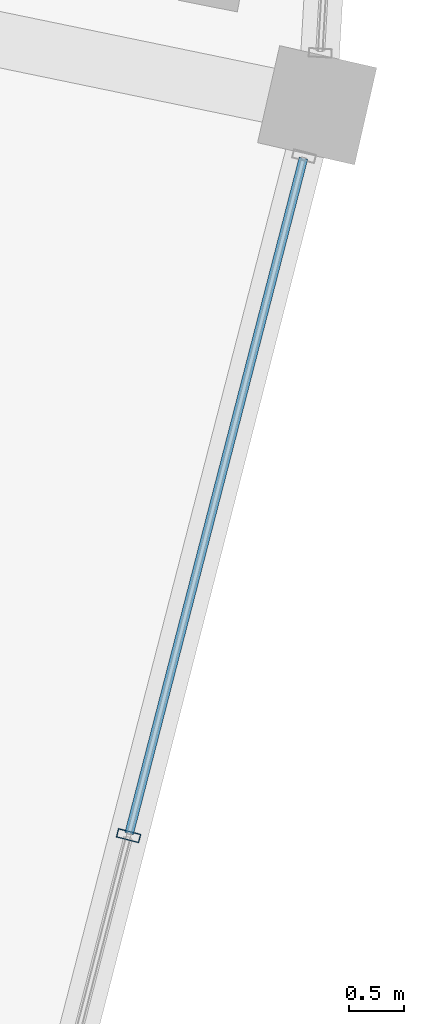
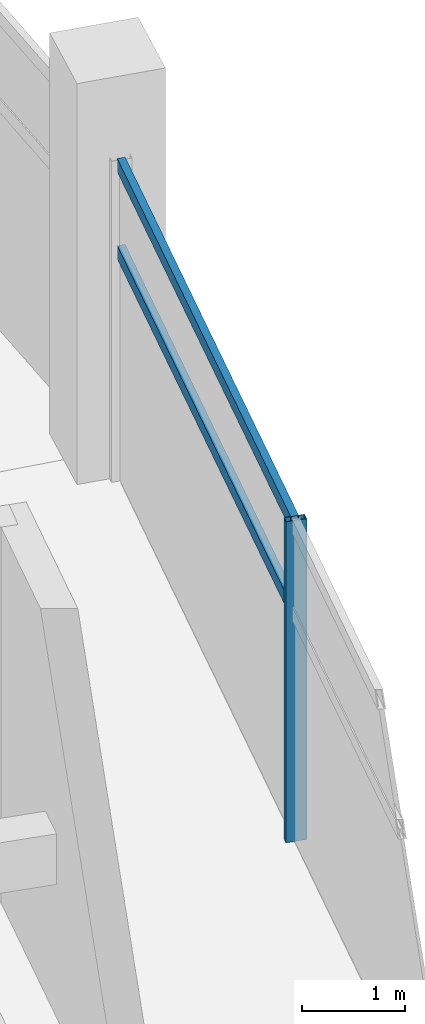
# One storey, part 67 of 171: 3 members, 1 element without a shape of its own.
"""IFC4 building model written with IfcOpenShell, lengths in metres."""

from ifc_helpers import new_model, si_unit, direction, frame, origin, origin_2d, place, context, subcontext, project, spatial, hollow_rectangle, extrude, material, layer, layer_set, material_profile, profile_set, type_object, element, aggregate, save


model = new_model("IFC4")

# Units and contexts
model_context = context("Model", 3, precision=1e-05, world=origin(), true_north=direction((0.0, 1.0)))
body_context = subcontext(model_context, "Body", "Model", "MODEL_VIEW")
ifc_project = project(units=[si_unit("LENGTHUNIT", "METRE"), si_unit("AREAUNIT", "SQUARE_METRE"), si_unit("VOLUMEUNIT", "CUBIC_METRE"), si_unit("PLANEANGLEUNIT", "RADIAN"), si_unit("MASSUNIT", "GRAM", prefix="KILO")], contexts=[model_context])

# Site, building, storey
site_placement = place(None, origin())
site = spatial("IfcSite", under=ifc_project, at=site_placement, CompositionType="ELEMENT")
building_placement = place(site_placement, origin())
building = spatial("IfcBuilding", under=site, at=building_placement, Name="Kazemori Nagisa Stadium", CompositionType="ELEMENT")
storey_placement = place(building_placement, frame((0.0, 0.0, 15.639892578125)))
storey = spatial("IfcBuildingStorey", under=building, at=storey_placement, Name="L03", CompositionType="ELEMENT", Elevation=15.639892578125)

# Curtain wall, members
ifc_material_1 = material(Name="Anodised aluminium 6063-T5", Category="aluminium")
ifc_layer = layer(ifc_material_1, 0.2099609375, Name="Anodised aluminium 6063-T5", Category="aluminium")
ifc_layer_set = layer_set([ifc_layer], Name="Anodised aluminium 6063-T5")
curtain_wall_type = type_object("IfcCurtainWallType", Name="CW_L03R3_96", PredefinedType="USERDEFINED", material=ifc_layer_set)
curtain_wall_placement = place(storey_placement, origin())
curtain_wall = element("IfcCurtainWall", 1, at=curtain_wall_placement, inside=storey, type_object=curtain_wall_type, Name="Unitised curtain wall CW-L03R3-96 L03", ObjectType="UNITISED CURTAIN WALL", PredefinedType="USERDEFINED")
ifc_material_2 = material(Name="Aluminium 6063-T5 anodised", Category="aluminium")
ifc_material_profile_1 = material_profile(ifc_material_2, hollow_rectangle(XDim=0.080078125, YDim=0.2099609375, WallThickness=0.0048828125, at=origin_2d()), Name="ALU-MULL-80x210x5")
ifc_profile_set_1 = profile_set([ifc_material_profile_1], Name="Aluminium 6063-T5 anodised")
member_type_1 = type_object("IfcMemberType", Name="Mullion_M02", PredefinedType="MULLION", material=ifc_profile_set_1)
member_1_placement = place(storey_placement, frame((215.176025390625, 75.998291015625, 0.0), z_axis=(0.0, 0.0, 1.0), x_axis=(0.249964642418, 0.968254965152, 0.0)))
member_1 = element("IfcMember", 2, at=member_1_placement, type_object=member_type_1, Name="Curtain wall mullion CW-L03R3-96-M3", PredefinedType="MULLION", context=body_context, shape_type="SweptSolid", body=[
    extrude(hollow_rectangle(XDim=0.080078125, YDim=0.2099609375, WallThickness=0.0048828125, at=origin_2d()), origin(), (0.0, 0.0, 1.0), 3.81005859375),
])
ifc_material_profile_2 = material_profile(ifc_material_2, hollow_rectangle(XDim=0.080078125, YDim=0.159912109375, WallThickness=0.00390625, at=origin_2d()), Name="ALU-TRAN-80x160x4")
ifc_profile_set_2 = profile_set([ifc_material_profile_2], Name="Aluminium 6063-T5 anodised")
member_type_2 = type_object("IfcMemberType", Name="Transom_T02", PredefinedType="USERDEFINED", material=ifc_profile_set_2)
member_2_placement = place(storey_placement, frame((215.180908203125, 76.017822265625, 2.705322265625), z_axis=(0.249971699633, 0.968253143234, 0.0), x_axis=(-0.968253143234, 0.249971699633, 0.0)))
member_2 = element("IfcMember", 3, at=member_2_placement, type_object=member_type_2, Name="Curtain wall transom CW-L03R3-96-T3-mid", ObjectType="TRANSOM", PredefinedType="USERDEFINED", context=body_context, shape_type="SweptSolid", body=[
    extrude(hollow_rectangle(XDim=0.080078125, YDim=0.159912109375, WallThickness=0.00390625, at=origin_2d()), origin(), (0.0, 0.0, 1.0), 6.305419921875),
])
member_3_placement = place(storey_placement, frame((215.180908203125, 76.017822265625, 3.739990234375), z_axis=(0.249971699633, 0.968253143234, 0.0), x_axis=(-0.968253143234, 0.249971699633, 0.0)))
member_3 = element("IfcMember", 4, at=member_3_placement, type_object=member_type_2, Name="Curtain wall transom CW-L03R3-96-T3-head", ObjectType="TRANSOM", PredefinedType="USERDEFINED", context=body_context, shape_type="SweptSolid", body=[
    extrude(hollow_rectangle(XDim=0.080078125, YDim=0.159912109375, WallThickness=0.00390625, at=origin_2d()), origin(), (0.0, 0.0, 1.0), 6.305419921875),
])
aggregate(curtain_wall, [member_1, member_2, member_3])

save(model, "model.ifc")
